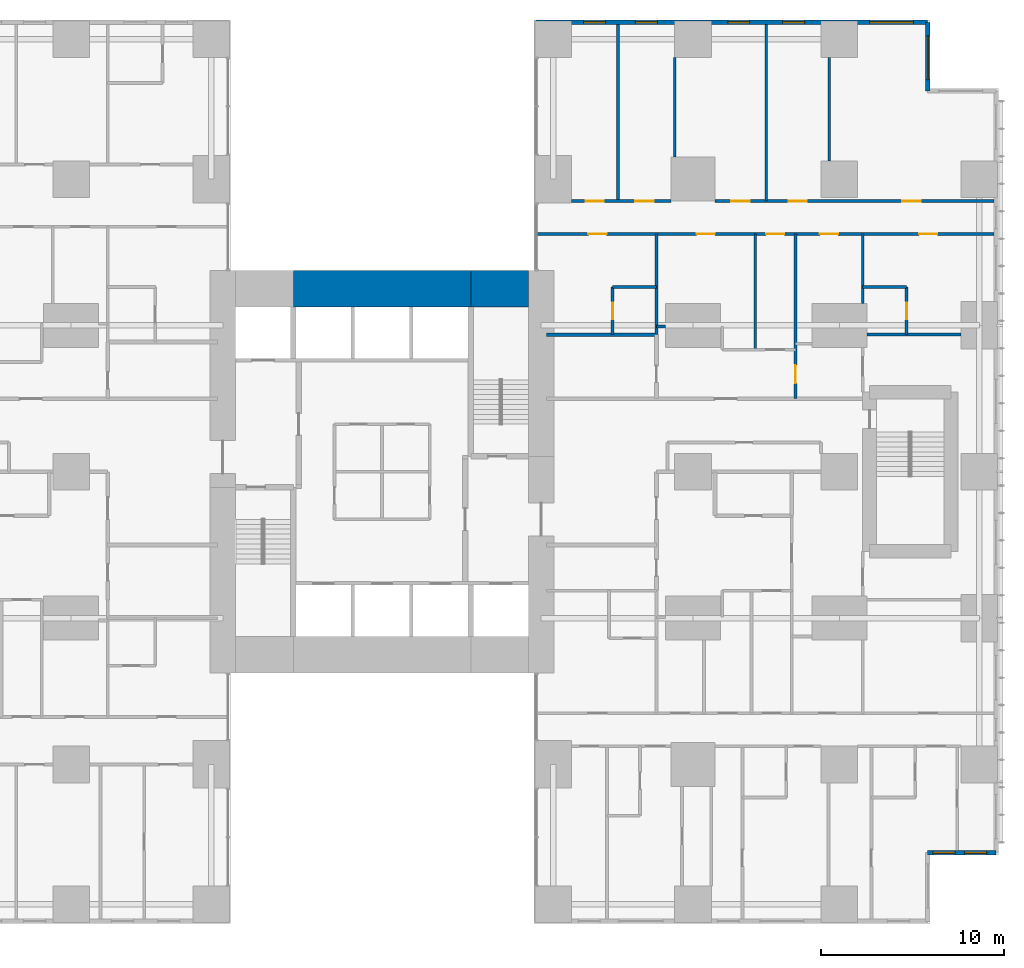
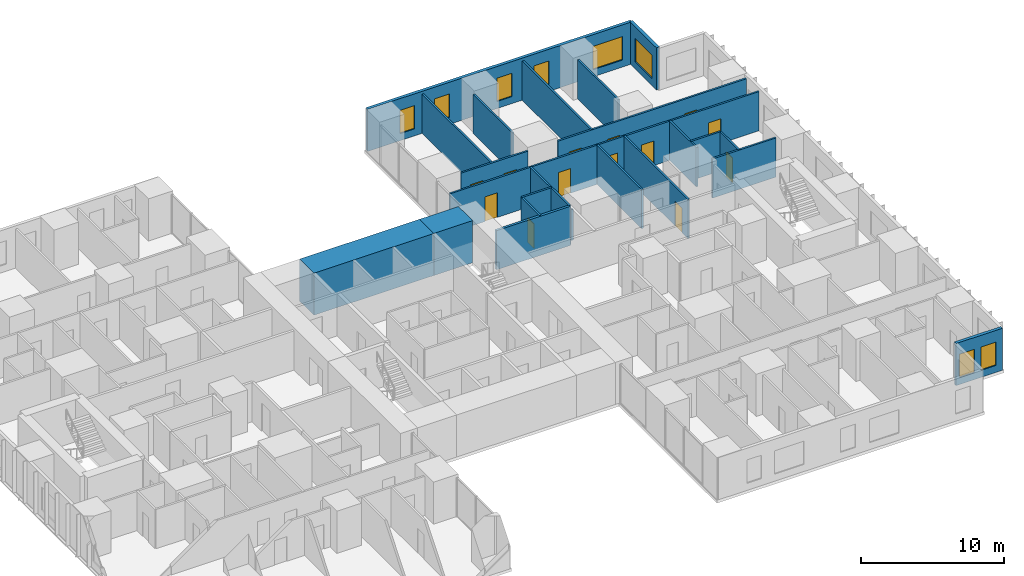
# One storey, part 18 of 20: 23 walls, 13 doors, 8 windows, 21 openings.
"""IFC4 building model written with IfcOpenShell, lengths in metres."""

from ifc_helpers import new_model, si_unit, direction, frame, frame_2d, origin, place, context, subcontext, project, spatial, rectangle, extrude, material, layer, layer_set, type_object, element, fill, save


model = new_model("IFC4")

# Units and contexts
model_context = context("Model", 3, precision=1e-05, world=origin(), true_north=direction((0.0, 1.0)))
body_context = subcontext(model_context, "Body", "Model", "MODEL_VIEW")
ifc_project = project(units=[si_unit("LENGTHUNIT", "METRE"), si_unit("AREAUNIT", "SQUARE_METRE"), si_unit("VOLUMEUNIT", "CUBIC_METRE"), si_unit("PLANEANGLEUNIT", "RADIAN"), si_unit("MASSUNIT", "GRAM", prefix="KILO")], contexts=[model_context])

# Site, building, storey
site_placement = place(None, origin())
site = spatial("IfcSite", under=ifc_project, at=site_placement, CompositionType="ELEMENT")
building_placement = place(site_placement, origin())
building = spatial("IfcBuilding", under=site, at=building_placement, Name="Cleftline Residences", CompositionType="ELEMENT")
storey_placement = place(building_placement, frame((0.0, 0.0, 51.199951171875)))
storey = spatial("IfcBuildingStorey", under=building, at=storey_placement, Name="L12", CompositionType="ELEMENT", Elevation=51.199951171875)

# Walls
ifc_material_1 = material(Name="Concrete B70", Category="concrete")
ifc_layer_1 = layer(ifc_material_1, 2.0)
ifc_layer_set_1 = layer_set([ifc_layer_1], Name="CORE WALL 2000")
wall_type_1 = type_object("IfcWallType", Name="CORE WALL 2000", PredefinedType="SHEAR", material=ifc_layer_set_1)
wall_1_placement = place(storey_placement, frame((28.14990234375, 34.0, 0.0), z_axis=(0.0, 0.0, 1.0), x_axis=(1.0, 0.0, 0.0)))
element("IfcWall", 1, at=wall_1_placement, inside=storey, type_object=wall_type_1, Name="Core wall N2", PredefinedType="SHEAR", context=body_context, shape_type="SweptSolid", body=[
    extrude(rectangle(XDim=9.7001953125, YDim=2.0, at=frame_2d((4.85009765625, 0.0))), origin(), (0.0, 0.0, 1.0), 3.60009765625),
])
wall_2_placement = place(storey_placement, frame((37.85009765625, 34.0, 0.0), z_axis=(0.0, 0.0, 1.0), x_axis=(1.0, 0.0, 0.0)))
element("IfcWall", 2, at=wall_2_placement, inside=storey, type_object=wall_type_1, Name="Core wall N3", PredefinedType="SHEAR", context=body_context, shape_type="SweptSolid", body=[
    extrude(rectangle(XDim=3.14990234375, YDim=2.0, at=frame_2d((1.574951171875, 0.0))), origin(), (0.0, 0.0, 1.0), 3.60009765625),
])

# Wall, openings, windows
ifc_material_2 = material(Name="Rendered reinforced concrete blockwork", Category="masonry")
ifc_layer_2 = layer(ifc_material_2, 0.25)
ifc_layer_set_2 = layer_set([ifc_layer_2], Name="EXTERNAL WALL 250")
wall_type_2 = type_object("IfcWallType", Name="EXTERNAL WALL 250", PredefinedType="SOLIDWALL", material=ifc_layer_set_2)
wall_3_placement = place(storey_placement, frame((62.824951171875, 3.175048828125, 0.0), z_axis=(0.0, 0.0, 1.0), x_axis=(1.0, 0.0, 0.0)))
wall_3 = element("IfcWall", 3, at=wall_3_placement, inside=storey, type_object=wall_type_2, Name="External wall", PredefinedType="SOLIDWALL", context=body_context, shape_type="SweptSolid", body=[
    extrude(rectangle(XDim=3.75, YDim=0.25, at=frame_2d((1.875, 0.0))), origin(), (0.0, 0.0, 1.0), 3.60009765625),
])
opening_1_placement = place(wall_3_placement, frame((0.28759765625, 0.0, 0.60009765625)))
opening_1 = element("IfcOpeningElement", 4, at=opening_1_placement, cuts=wall_3, Name="Opening W8", PredefinedType="OPENING", context=body_context, shape_type="SweptSolid", body=[
    extrude(rectangle(XDim=1.199951171875, YDim=2.0, at=frame_2d((0.60009765625, 1.0))), frame((0.0, 0.135009765625, 0.0), z_axis=(0.0, -1.0, 0.0), x_axis=(1.0, 0.0, 0.0)), (0.0, 0.0, 1.0), 0.27001953125),
])
opening_2_placement = place(wall_3_placement, frame((2.02490234375, 0.0, 0.60009765625)))
opening_2 = element("IfcOpeningElement", 5, at=opening_2_placement, cuts=wall_3, Name="Opening W8", PredefinedType="OPENING", context=body_context, shape_type="SweptSolid", body=[
    extrude(rectangle(XDim=1.199951171875, YDim=2.0, at=frame_2d((0.60009765625, 1.0))), frame((0.0, 0.135009765625, 0.0), z_axis=(0.0, -1.0, 0.0), x_axis=(1.0, 0.0, 0.0)), (0.0, 0.0, 1.0), 0.27001953125),
])
ifc_material_3 = material(Name="Aluminium frame, clear double glazing", Category="aluminium")
window_type_1 = type_object("IfcWindowType", Name="WINDOW 1200X2000", PartitioningType="DOUBLE_PANEL_VERTICAL", PredefinedType="WINDOW", material=ifc_material_3)
window_1_placement = place(opening_1_placement, origin())
window_1 = element("IfcWindow", 6, at=window_1_placement, inside=storey, type_object=window_type_1, Name="Window", OverallHeight=2.0, OverallWidth=1.199951171875, PartitioningType="SINGLE_PANEL", PredefinedType="WINDOW", context=body_context, shape_type="SweptSolid", body=[
    extrude(rectangle(XDim=1.199951171875, YDim=2.0, at=frame_2d((0.60009765625, 1.0))), frame((0.0, 0.030029296875, 0.0), z_axis=(0.0, -1.0, 0.0), x_axis=(1.0, 0.0, 0.0)), (0.0, 0.0, 1.0), 0.06005859375),
])
fill(opening_1, window_1)
window_2_placement = place(opening_2_placement, origin())
window_2 = element("IfcWindow", 7, at=window_2_placement, inside=storey, type_object=window_type_1, Name="Window", OverallHeight=2.0, OverallWidth=1.199951171875, PartitioningType="SINGLE_PANEL", PredefinedType="WINDOW", context=body_context, shape_type="SweptSolid", body=[
    extrude(rectangle(XDim=1.199951171875, YDim=2.0, at=frame_2d((0.60009765625, 1.0))), frame((0.0, 0.030029296875, 0.0), z_axis=(0.0, -1.0, 0.0), x_axis=(1.0, 0.0, 0.0)), (0.0, 0.0, 1.0), 0.06005859375),
])
fill(opening_2, window_2)

# Wall, opening, window
wall_4_placement = place(storey_placement, frame((62.824951171875, 44.824951171875, 0.0), z_axis=(0.0, 0.0, 1.0), x_axis=(0.0, 1.0, 0.0)))
wall_4 = element("IfcWall", 8, at=wall_4_placement, inside=storey, type_object=wall_type_2, Name="External wall", PredefinedType="SOLIDWALL", context=body_context, shape_type="SweptSolid", body=[
    extrude(rectangle(XDim=3.75, YDim=0.25, at=frame_2d((1.875, 0.0))), origin(), (0.0, 0.0, 1.0), 3.60009765625),
])
opening_3_placement = place(wall_4_placement, frame((0.612548828125, 0.0, 0.60009765625)))
opening_3 = element("IfcOpeningElement", 9, at=opening_3_placement, cuts=wall_4, Name="Opening W6", PredefinedType="OPENING", context=body_context, shape_type="SweptSolid", body=[
    extrude(rectangle(XDim=2.39990234375, YDim=2.0, at=frame_2d((1.199951171875, 1.0))), frame((0.0, 0.135009765625, 0.0), z_axis=(0.0, -1.0, 0.0), x_axis=(1.0, 0.0, 0.0)), (0.0, 0.0, 1.0), 0.27001953125),
])
ifc_material_4 = material(Name="Aluminium frame, clear double glazing", Category="aluminium")
window_type_2 = type_object("IfcWindowType", Name="WINDOW 2400X2000", PartitioningType="DOUBLE_PANEL_VERTICAL", PredefinedType="WINDOW", material=ifc_material_4)
window_3_placement = place(opening_3_placement, origin())
window_3 = element("IfcWindow", 10, at=window_3_placement, inside=storey, type_object=window_type_2, Name="Window", OverallHeight=2.0, OverallWidth=2.39990234375, PartitioningType="SINGLE_PANEL", PredefinedType="WINDOW", context=body_context, shape_type="SweptSolid", body=[
    extrude(rectangle(XDim=2.39990234375, YDim=2.0, at=frame_2d((1.199951171875, 1.0))), frame((0.0, 0.030029296875, 0.0), z_axis=(0.0, -1.0, 0.0), x_axis=(1.0, 0.0, 0.0)), (0.0, 0.0, 1.0), 0.06005859375),
])
fill(opening_3, window_3)

# Wall, openings, windows
wall_5_placement = place(storey_placement, frame((62.824951171875, 48.574951171875, 0.0), z_axis=(0.0, 0.0, 1.0), x_axis=(-1.0, 0.0, 0.0)))
wall_5 = element("IfcWall", 11, at=wall_5_placement, inside=storey, type_object=wall_type_2, Name="External wall", PredefinedType="SOLIDWALL", context=body_context, shape_type="SweptSolid", body=[
    extrude(rectangle(XDim=21.39990234375, YDim=0.25, at=frame_2d((10.699951171875, 0.0))), origin(), (0.0, 0.0, 1.0), 3.60009765625),
])
opening_4_placement = place(wall_5_placement, frame((0.77490234375, 0.0, 0.60009765625)))
opening_4 = element("IfcOpeningElement", 12, at=opening_4_placement, cuts=wall_5, Name="Opening W6", PredefinedType="OPENING", context=body_context, shape_type="SweptSolid", body=[
    extrude(rectangle(XDim=2.39990234375, YDim=2.0, at=frame_2d((1.199951171875, 1.0))), frame((0.0, 0.135009765625, 0.0), z_axis=(0.0, -1.0, 0.0), x_axis=(1.0, 0.0, 0.0)), (0.0, 0.0, 1.0), 0.27001953125),
])
opening_5_placement = place(wall_5_placement, frame((6.72509765625, 0.0, 0.60009765625)))
opening_5 = element("IfcOpeningElement", 13, at=opening_5_placement, cuts=wall_5, Name="Opening W8", PredefinedType="OPENING", context=body_context, shape_type="SweptSolid", body=[
    extrude(rectangle(XDim=1.199951171875, YDim=2.0, at=frame_2d((0.60009765625, 1.0))), frame((0.0, 0.135009765625, 0.0), z_axis=(0.0, -1.0, 0.0), x_axis=(1.0, 0.0, 0.0)), (0.0, 0.0, 1.0), 0.27001953125),
])
opening_6_placement = place(wall_5_placement, frame((9.72509765625, 0.0, 0.60009765625)))
opening_6 = element("IfcOpeningElement", 14, at=opening_6_placement, cuts=wall_5, Name="Opening W8", PredefinedType="OPENING", context=body_context, shape_type="SweptSolid", body=[
    extrude(rectangle(XDim=1.199951171875, YDim=2.0, at=frame_2d((0.60009765625, 1.0))), frame((0.0, 0.135009765625, 0.0), z_axis=(0.0, -1.0, 0.0), x_axis=(1.0, 0.0, 0.0)), (0.0, 0.0, 1.0), 0.27001953125),
])
opening_7_placement = place(wall_5_placement, frame((14.77490234375, 0.0, 0.60009765625)))
opening_7 = element("IfcOpeningElement", 15, at=opening_7_placement, cuts=wall_5, Name="Opening W8", PredefinedType="OPENING", context=body_context, shape_type="SweptSolid", body=[
    extrude(rectangle(XDim=1.199951171875, YDim=2.0, at=frame_2d((0.60009765625, 1.0))), frame((0.0, 0.135009765625, 0.0), z_axis=(0.0, -1.0, 0.0), x_axis=(1.0, 0.0, 0.0)), (0.0, 0.0, 1.0), 0.27001953125),
])
opening_8_placement = place(wall_5_placement, frame((17.60009765625, 0.0, 0.60009765625)))
opening_8 = element("IfcOpeningElement", 16, at=opening_8_placement, cuts=wall_5, Name="Opening W8", PredefinedType="OPENING", context=body_context, shape_type="SweptSolid", body=[
    extrude(rectangle(XDim=1.199951171875, YDim=2.0, at=frame_2d((0.60009765625, 1.0))), frame((0.0, 0.135009765625, 0.0), z_axis=(0.0, -1.0, 0.0), x_axis=(1.0, 0.0, 0.0)), (0.0, 0.0, 1.0), 0.27001953125),
])
window_4_placement = place(opening_5_placement, origin())
window_4 = element("IfcWindow", 17, at=window_4_placement, inside=storey, type_object=window_type_1, Name="Window", OverallHeight=2.0, OverallWidth=1.199951171875, PartitioningType="SINGLE_PANEL", PredefinedType="WINDOW", context=body_context, shape_type="SweptSolid", body=[
    extrude(rectangle(XDim=1.199951171875, YDim=2.0, at=frame_2d((0.60009765625, 1.0))), frame((0.0, 0.030029296875, 0.0), z_axis=(0.0, -1.0, 0.0), x_axis=(1.0, 0.0, 0.0)), (0.0, 0.0, 1.0), 0.06005859375),
])
fill(opening_5, window_4)
window_5_placement = place(opening_6_placement, origin())
window_5 = element("IfcWindow", 18, at=window_5_placement, inside=storey, type_object=window_type_1, Name="Window", OverallHeight=2.0, OverallWidth=1.199951171875, PartitioningType="SINGLE_PANEL", PredefinedType="WINDOW", context=body_context, shape_type="SweptSolid", body=[
    extrude(rectangle(XDim=1.199951171875, YDim=2.0, at=frame_2d((0.60009765625, 1.0))), frame((0.0, 0.030029296875, 0.0), z_axis=(0.0, -1.0, 0.0), x_axis=(1.0, 0.0, 0.0)), (0.0, 0.0, 1.0), 0.06005859375),
])
fill(opening_6, window_5)
window_6_placement = place(opening_7_placement, origin())
window_6 = element("IfcWindow", 19, at=window_6_placement, inside=storey, type_object=window_type_1, Name="Window", OverallHeight=2.0, OverallWidth=1.199951171875, PartitioningType="SINGLE_PANEL", PredefinedType="WINDOW", context=body_context, shape_type="SweptSolid", body=[
    extrude(rectangle(XDim=1.199951171875, YDim=2.0, at=frame_2d((0.60009765625, 1.0))), frame((0.0, 0.030029296875, 0.0), z_axis=(0.0, -1.0, 0.0), x_axis=(1.0, 0.0, 0.0)), (0.0, 0.0, 1.0), 0.06005859375),
])
fill(opening_7, window_6)
window_7_placement = place(opening_8_placement, origin())
window_7 = element("IfcWindow", 20, at=window_7_placement, inside=storey, type_object=window_type_1, Name="Window", OverallHeight=2.0, OverallWidth=1.199951171875, PartitioningType="SINGLE_PANEL", PredefinedType="WINDOW", context=body_context, shape_type="SweptSolid", body=[
    extrude(rectangle(XDim=1.199951171875, YDim=2.0, at=frame_2d((0.60009765625, 1.0))), frame((0.0, 0.030029296875, 0.0), z_axis=(0.0, -1.0, 0.0), x_axis=(1.0, 0.0, 0.0)), (0.0, 0.0, 1.0), 0.06005859375),
])
fill(opening_8, window_7)
window_8_placement = place(opening_4_placement, origin())
window_8 = element("IfcWindow", 21, at=window_8_placement, inside=storey, type_object=window_type_2, Name="Window", OverallHeight=2.0, OverallWidth=2.39990234375, PartitioningType="SINGLE_PANEL", PredefinedType="WINDOW", context=body_context, shape_type="SweptSolid", body=[
    extrude(rectangle(XDim=2.39990234375, YDim=2.0, at=frame_2d((1.199951171875, 1.0))), frame((0.0, 0.030029296875, 0.0), z_axis=(0.0, -1.0, 0.0), x_axis=(1.0, 0.0, 0.0)), (0.0, 0.0, 1.0), 0.06005859375),
])
fill(opening_4, window_8)

# Walls
ifc_material_5 = material(Name="Concrete blockwork, fire rated", Category="masonry")
ifc_layer_3 = layer(ifc_material_5, 0.199951171875)
ifc_layer_set_3 = layer_set([ifc_layer_3], Name="FIRE WALL 200")
wall_type_3 = type_object("IfcWallType", Name="FIRE WALL 200", PredefinedType="PARTITIONING", material=ifc_layer_set_3)
wall_6_placement = place(storey_placement, frame((42.0, 31.5, 0.0), z_axis=(0.0, 0.0, 1.0), x_axis=(1.0, 0.0, 0.0)))
element("IfcWall", 22, at=wall_6_placement, inside=storey, type_object=wall_type_3, Name="Fire separating wall", PredefinedType="PARTITIONING", context=body_context, shape_type="SweptSolid", body=[
    extrude(rectangle(XDim=6.0, YDim=0.199951171875, at=frame_2d((3.0, 0.0))), origin(), (0.0, 0.0, 1.0), 3.35009765625),
])
ifc_material_6 = material(Name="Gypsum board on steel studs", Category="steel")
ifc_layer_4 = layer(ifc_material_6, 0.14990234375)
ifc_layer_set_4 = layer_set([ifc_layer_4], Name="PARTITION 150")
wall_type_4 = type_object("IfcWallType", Name="PARTITION 150", PredefinedType="PARTITIONING", material=ifc_layer_set_4)
wall_7_placement = place(storey_placement, frame((59.5, 31.5, 0.0), z_axis=(0.0, 0.0, 1.0), x_axis=(1.0, 0.0, 0.0)))
element("IfcWall", 23, at=wall_7_placement, inside=storey, type_object=wall_type_4, Name="Partition", PredefinedType="PARTITIONING", context=body_context, shape_type="SweptSolid", body=[
    extrude(rectangle(XDim=5.14990234375, YDim=0.14990234375, at=frame_2d((2.574951171875, 0.0))), origin(), (0.0, 0.0, 1.0), 3.35009765625),
])
wall_8_placement = place(storey_placement, frame((48.0, 31.949951171875, 0.0), z_axis=(0.0, 0.0, 1.0), x_axis=(1.0, 0.0, 0.0)))
element("IfcWall", 24, at=wall_8_placement, inside=storey, type_object=wall_type_4, Name="Partition", PredefinedType="PARTITIONING", context=body_context, shape_type="SweptSolid", body=[
    extrude(rectangle(XDim=0.5, YDim=0.14990234375, at=frame_2d((0.25, 0.0))), origin(), (0.0, 0.0, 1.0), 2.634033203125),
])
wall_9_placement = place(storey_placement, frame((45.60009765625, 34.10009765625, 0.0), z_axis=(0.0, 0.0, 1.0), x_axis=(1.0, 0.0, 0.0)))
element("IfcWall", 25, at=wall_9_placement, inside=storey, type_object=wall_type_4, Name="Partition", PredefinedType="PARTITIONING", context=body_context, shape_type="SweptSolid", body=[
    extrude(rectangle(XDim=2.39990234375, YDim=0.14990234375, at=frame_2d((1.199951171875, 0.0))), origin(), (0.0, 0.0, 1.0), 3.35009765625),
])
wall_10_placement = place(storey_placement, frame((59.27490234375, 34.10009765625, 0.0), z_axis=(0.0, 0.0, 1.0), x_axis=(1.0, 0.0, 0.0)))
element("IfcWall", 26, at=wall_10_placement, inside=storey, type_object=wall_type_4, Name="Partition", PredefinedType="PARTITIONING", context=body_context, shape_type="SweptSolid", body=[
    extrude(rectangle(XDim=2.400146484375, YDim=0.14990234375, at=frame_2d((1.2001953125, 0.0))), origin(), (0.0, 0.0, 1.0), 3.35009765625),
])

# Wall, openings, doors
wall_11_placement = place(storey_placement, frame((41.43896484375, 37.0, 0.0), z_axis=(0.0, 0.0, 1.0), x_axis=(1.0, 0.0, 0.0)))
wall_11 = element("IfcWall", 27, at=wall_11_placement, inside=storey, type_object=wall_type_4, Name="Partition", PredefinedType="PARTITIONING", context=body_context, shape_type="SweptSolid", body=[
    extrude(rectangle(XDim=25.010986328125, YDim=0.14990234375, at=frame_2d((12.50537109375, 0.0))), origin(), (0.0, 0.0, 1.0), 3.35009765625),
])
opening_9_placement = place(wall_11_placement, frame((12.56103515625, 0.0, 0.0)))
opening_9 = element("IfcOpeningElement", 28, at=opening_9_placement, cuts=wall_11, Name="Opening D2", PredefinedType="OPENING", context=body_context, shape_type="SweptSolid", body=[
    extrude(rectangle(XDim=1.0, YDim=2.10009765625, at=frame_2d((0.5, 1.050048828125))), frame((0.0, 0.0849609375, 0.0), z_axis=(0.0, -1.0, 0.0), x_axis=(1.0, 0.0, 0.0)), (0.0, 0.0, 1.0), 0.169921875),
])
opening_10_placement = place(wall_11_placement, frame((20.923583984375, 0.0, 0.0)))
opening_10 = element("IfcOpeningElement", 29, at=opening_10_placement, cuts=wall_11, Name="Opening D2", PredefinedType="OPENING", context=body_context, shape_type="SweptSolid", body=[
    extrude(rectangle(XDim=1.0, YDim=2.10009765625, at=frame_2d((0.5, 1.050048828125))), frame((0.0, 0.0849609375, 0.0), z_axis=(0.0, -1.0, 0.0), x_axis=(1.0, 0.0, 0.0)), (0.0, 0.0, 1.0), 0.169921875),
])
opening_11_placement = place(wall_11_placement, frame((15.49853515625, 0.0, 0.0)))
opening_11 = element("IfcOpeningElement", 30, at=opening_11_placement, cuts=wall_11, Name="Opening D2", PredefinedType="OPENING", context=body_context, shape_type="SweptSolid", body=[
    extrude(rectangle(XDim=1.0, YDim=2.10009765625, at=frame_2d((0.5, 1.050048828125))), frame((0.0, 0.0849609375, 0.0), z_axis=(0.0, -1.0, 0.0), x_axis=(1.0, 0.0, 0.0)), (0.0, 0.0, 1.0), 0.169921875),
])
opening_12_placement = place(wall_11_placement, frame((8.760986328125, 0.0, 0.0)))
opening_12 = element("IfcOpeningElement", 31, at=opening_12_placement, cuts=wall_11, Name="Opening D2", PredefinedType="OPENING", context=body_context, shape_type="SweptSolid", body=[
    extrude(rectangle(XDim=1.0, YDim=2.10009765625, at=frame_2d((0.5, 1.050048828125))), frame((0.0, 0.0849609375, 0.0), z_axis=(0.0, -1.0, 0.0), x_axis=(1.0, 0.0, 0.0)), (0.0, 0.0, 1.0), 0.169921875),
])
opening_13_placement = place(wall_11_placement, frame((2.8359375, 0.0, 0.0)))
opening_13 = element("IfcOpeningElement", 32, at=opening_13_placement, cuts=wall_11, Name="Opening D2", PredefinedType="OPENING", context=body_context, shape_type="SweptSolid", body=[
    extrude(rectangle(XDim=1.0, YDim=2.10009765625, at=frame_2d((0.5, 1.050048828125))), frame((0.0, 0.0849609375, 0.0), z_axis=(0.0, -1.0, 0.0), x_axis=(1.0, 0.0, 0.0)), (0.0, 0.0, 1.0), 0.169921875),
])
ifc_material_7 = material(Name="Timber veneer on solid core", Category="wood")
door_type_1 = type_object("IfcDoorType", Name="DOOR 1000X2100", OperationType="SINGLE_SWING_LEFT", PredefinedType="DOOR", material=ifc_material_7)
door_1_placement = place(opening_9_placement, origin())
door_1 = element("IfcDoor", 33, at=door_1_placement, inside=storey, type_object=door_type_1, Name="Door to residence hall", OperationType="SINGLE_SWING_LEFT", OverallHeight=2.10009765625, OverallWidth=1.0, PredefinedType="DOOR", context=body_context, shape_type="SweptSolid", body=[
    extrude(rectangle(XDim=1.0, YDim=2.10009765625, at=frame_2d((0.5, 1.050048828125))), frame((0.0, 0.02490234375, 0.0), z_axis=(0.0, -1.0, 0.0), x_axis=(1.0, 0.0, 0.0)), (0.0, 0.0, 1.0), 0.050048828125),
])
fill(opening_9, door_1)
door_2_placement = place(opening_10_placement, origin())
door_2 = element("IfcDoor", 34, at=door_2_placement, inside=storey, type_object=door_type_1, Name="Door to master bedroom", OperationType="SINGLE_SWING_LEFT", OverallHeight=2.10009765625, OverallWidth=1.0, PredefinedType="DOOR", context=body_context, shape_type="SweptSolid", body=[
    extrude(rectangle(XDim=1.0, YDim=2.10009765625, at=frame_2d((0.5, 1.050048828125))), frame((0.0, 0.02490234375, 0.0), z_axis=(0.0, -1.0, 0.0), x_axis=(1.0, 0.0, 0.0)), (0.0, 0.0, 1.0), 0.050048828125),
])
fill(opening_10, door_2)
door_3_placement = place(opening_11_placement, origin())
door_3 = element("IfcDoor", 35, at=door_3_placement, inside=storey, type_object=door_type_1, Name="Door to wet kitchen", OperationType="SINGLE_SWING_LEFT", OverallHeight=2.10009765625, OverallWidth=1.0, PredefinedType="DOOR", context=body_context, shape_type="SweptSolid", body=[
    extrude(rectangle(XDim=1.0, YDim=2.10009765625, at=frame_2d((0.5, 1.050048828125))), frame((0.0, 0.02490234375, 0.0), z_axis=(0.0, -1.0, 0.0), x_axis=(1.0, 0.0, 0.0)), (0.0, 0.0, 1.0), 0.050048828125),
])
fill(opening_11, door_3)
door_4_placement = place(opening_12_placement, origin())
door_4 = element("IfcDoor", 36, at=door_4_placement, inside=storey, type_object=door_type_1, Name="Door to family room", OperationType="SINGLE_SWING_RIGHT", OverallHeight=2.10009765625, OverallWidth=1.0, PredefinedType="DOOR", context=body_context, shape_type="SweptSolid", body=[
    extrude(rectangle(XDim=1.0, YDim=2.10009765625, at=frame_2d((0.5, 1.050048828125))), frame((0.0, 0.02490234375, 0.0), z_axis=(0.0, -1.0, 0.0), x_axis=(1.0, 0.0, 0.0)), (0.0, 0.0, 1.0), 0.050048828125),
])
fill(opening_12, door_4)
door_5_placement = place(opening_13_placement, origin())
door_5 = element("IfcDoor", 37, at=door_5_placement, inside=storey, type_object=door_type_1, Name="Door to bedroom 2", OperationType="SINGLE_SWING_RIGHT", OverallHeight=2.10009765625, OverallWidth=1.0, PredefinedType="DOOR", context=body_context, shape_type="SweptSolid", body=[
    extrude(rectangle(XDim=1.0, YDim=2.10009765625, at=frame_2d((0.5, 1.050048828125))), frame((0.0, 0.02490234375, 0.0), z_axis=(0.0, -1.0, 0.0), x_axis=(1.0, 0.0, 0.0)), (0.0, 0.0, 1.0), 0.050048828125),
])
fill(opening_13, door_5)

wall_12_placement = place(storey_placement, frame((43.35009765625, 38.800048828125, 0.0), z_axis=(0.0, 0.0, 1.0), x_axis=(1.0, 0.0, 0.0)))
wall_12 = element("IfcWall", 38, at=wall_12_placement, inside=storey, type_object=wall_type_4, Name="Partition", PredefinedType="PARTITIONING", context=body_context, shape_type="SweptSolid", body=[
    extrude(rectangle(XDim=5.449951171875, YDim=0.14990234375, at=frame_2d((2.72509765625, 0.0))), origin(), (0.0, 0.0, 1.0), 3.35009765625),
])
opening_14_placement = place(wall_12_placement, frame((3.5, 0.0, 0.0)))
opening_14 = element("IfcOpeningElement", 39, at=opening_14_placement, cuts=wall_12, Name="Opening D2", PredefinedType="OPENING", context=body_context, shape_type="SweptSolid", body=[
    extrude(rectangle(XDim=1.0, YDim=2.10009765625, at=frame_2d((0.5, 1.050048828125))), frame((0.0, 0.0849609375, 0.0), z_axis=(0.0, -1.0, 0.0), x_axis=(1.0, 0.0, 0.0)), (0.0, 0.0, 1.0), 0.169921875),
])
opening_15_placement = place(wall_12_placement, frame((0.77490234375, 0.0, 0.0)))
opening_15 = element("IfcOpeningElement", 40, at=opening_15_placement, cuts=wall_12, Name="Opening D2", PredefinedType="OPENING", context=body_context, shape_type="SweptSolid", body=[
    extrude(rectangle(XDim=1.0, YDim=2.10009765625, at=frame_2d((0.5, 1.050048828125))), frame((0.0, 0.0849609375, 0.0), z_axis=(0.0, -1.0, 0.0), x_axis=(1.0, 0.0, 0.0)), (0.0, 0.0, 1.0), 0.169921875),
])
door_6_placement = place(opening_14_placement, origin())
door_6 = element("IfcDoor", 41, at=door_6_placement, inside=storey, type_object=door_type_1, Name="Door to family dining room", OperationType="SINGLE_SWING_LEFT", OverallHeight=2.10009765625, OverallWidth=1.0, PredefinedType="DOOR", context=body_context, shape_type="SweptSolid", body=[
    extrude(rectangle(XDim=1.0, YDim=2.10009765625, at=frame_2d((0.5, 1.050048828125))), frame((0.0, 0.02490234375, 0.0), z_axis=(0.0, -1.0, 0.0), x_axis=(1.0, 0.0, 0.0)), (0.0, 0.0, 1.0), 0.050048828125),
])
fill(opening_14, door_6)
door_7_placement = place(opening_15_placement, origin())
door_7 = element("IfcDoor", 42, at=door_7_placement, inside=storey, type_object=door_type_1, Name="Door to show kitchen", OperationType="SINGLE_SWING_RIGHT", OverallHeight=2.10009765625, OverallWidth=1.0, PredefinedType="DOOR", context=body_context, shape_type="SweptSolid", body=[
    extrude(rectangle(XDim=1.0, YDim=2.10009765625, at=frame_2d((0.5, 1.050048828125))), frame((0.0, 0.02490234375, 0.0), z_axis=(0.0, -1.0, 0.0), x_axis=(1.0, 0.0, 0.0)), (0.0, 0.0, 1.0), 0.050048828125),
])
fill(opening_15, door_7)

wall_13_placement = place(storey_placement, frame((51.199951171875, 38.800048828125, 0.0), z_axis=(0.0, 0.0, 1.0), x_axis=(1.0, 0.0, 0.0)))
wall_13 = element("IfcWall", 43, at=wall_13_placement, inside=storey, type_object=wall_type_4, Name="Partition", PredefinedType="PARTITIONING", context=body_context, shape_type="SweptSolid", body=[
    extrude(rectangle(XDim=15.25, YDim=0.14990234375, at=frame_2d((7.625, 0.0))), origin(), (0.0, 0.0, 1.0), 3.35009765625),
])
opening_16_placement = place(wall_13_placement, frame((10.25, 0.0, 0.0)))
opening_16 = element("IfcOpeningElement", 44, at=opening_16_placement, cuts=wall_13, Name="Opening D2", PredefinedType="OPENING", context=body_context, shape_type="SweptSolid", body=[
    extrude(rectangle(XDim=1.0, YDim=2.10009765625, at=frame_2d((0.5, 1.050048828125))), frame((0.0, 0.0849609375, 0.0), z_axis=(0.0, -1.0, 0.0), x_axis=(1.0, 0.0, 0.0)), (0.0, 0.0, 1.0), 0.169921875),
])
opening_17_placement = place(wall_13_placement, frame((4.02490234375, 0.0, 0.0)))
opening_17 = element("IfcOpeningElement", 45, at=opening_17_placement, cuts=wall_13, Name="Opening D2", PredefinedType="OPENING", context=body_context, shape_type="SweptSolid", body=[
    extrude(rectangle(XDim=1.0, YDim=2.10009765625, at=frame_2d((0.5, 1.050048828125))), frame((0.0, 0.0849609375, 0.0), z_axis=(0.0, -1.0, 0.0), x_axis=(1.0, 0.0, 0.0)), (0.0, 0.0, 1.0), 0.169921875),
])
opening_18_placement = place(wall_13_placement, frame((0.89990234375, 0.0, 0.0)))
opening_18 = element("IfcOpeningElement", 46, at=opening_18_placement, cuts=wall_13, Name="Opening D2", PredefinedType="OPENING", context=body_context, shape_type="SweptSolid", body=[
    extrude(rectangle(XDim=1.0, YDim=2.10009765625, at=frame_2d((0.5, 1.050048828125))), frame((0.0, 0.0849609375, 0.0), z_axis=(0.0, -1.0, 0.0), x_axis=(1.0, 0.0, 0.0)), (0.0, 0.0, 1.0), 0.169921875),
])
door_8_placement = place(opening_16_placement, origin())
door_8 = element("IfcDoor", 47, at=door_8_placement, inside=storey, type_object=door_type_1, Name="Door to sea-view lounge", OperationType="SINGLE_SWING_LEFT", OverallHeight=2.10009765625, OverallWidth=1.0, PredefinedType="DOOR", context=body_context, shape_type="SweptSolid", body=[
    extrude(rectangle(XDim=1.0, YDim=2.10009765625, at=frame_2d((0.5, 1.050048828125))), frame((0.0, 0.02490234375, 0.0), z_axis=(0.0, -1.0, 0.0), x_axis=(1.0, 0.0, 0.0)), (0.0, 0.0, 1.0), 0.050048828125),
])
fill(opening_16, door_8)
door_9_placement = place(opening_17_placement, origin())
door_9 = element("IfcDoor", 48, at=door_9_placement, inside=storey, type_object=door_type_1, Name="Door to library", OperationType="SINGLE_SWING_RIGHT", OverallHeight=2.10009765625, OverallWidth=1.0, PredefinedType="DOOR", context=body_context, shape_type="SweptSolid", body=[
    extrude(rectangle(XDim=1.0, YDim=2.10009765625, at=frame_2d((0.5, 1.050048828125))), frame((0.0, 0.02490234375, 0.0), z_axis=(0.0, -1.0, 0.0), x_axis=(1.0, 0.0, 0.0)), (0.0, 0.0, 1.0), 0.050048828125),
])
fill(opening_17, door_9)
door_10_placement = place(opening_18_placement, origin())
door_10 = element("IfcDoor", 49, at=door_10_placement, inside=storey, type_object=door_type_1, Name="Door to dining room", OperationType="SINGLE_SWING_RIGHT", OverallHeight=2.10009765625, OverallWidth=1.0, PredefinedType="DOOR", context=body_context, shape_type="SweptSolid", body=[
    extrude(rectangle(XDim=1.0, YDim=2.10009765625, at=frame_2d((0.5, 1.050048828125))), frame((0.0, 0.02490234375, 0.0), z_axis=(0.0, -1.0, 0.0), x_axis=(1.0, 0.0, 0.0)), (0.0, 0.0, 1.0), 0.050048828125),
])
fill(opening_18, door_10)

# Wall, opening, door
wall_14_placement = place(storey_placement, frame((45.60009765625, 31.5, 0.0), z_axis=(0.0, 0.0, 1.0), x_axis=(0.0, 1.0, 0.0)))
wall_14 = element("IfcWall", 50, at=wall_14_placement, inside=storey, type_object=wall_type_4, Name="Partition", PredefinedType="PARTITIONING", context=body_context, shape_type="SweptSolid", body=[
    extrude(rectangle(XDim=2.60009765625, YDim=0.14990234375, at=frame_2d((1.300048828125, 0.0))), origin(), (0.0, 0.0, 1.0), 3.35009765625),
])
opening_19_placement = place(wall_14_placement, frame((0.85009765625, 0.0, 0.0)))
opening_19 = element("IfcOpeningElement", 51, at=opening_19_placement, cuts=wall_14, Name="Opening D1", PredefinedType="OPENING", context=body_context, shape_type="SweptSolid", body=[
    extrude(rectangle(XDim=0.89990234375, YDim=2.10009765625, at=frame_2d((0.449951171875, 1.050048828125))), frame((0.0, 0.0849609375, 0.0), z_axis=(0.0, -1.0, 0.0), x_axis=(1.0, 0.0, 0.0)), (0.0, 0.0, 1.0), 0.169921875),
])
ifc_material_8 = material(Name="Timber veneer on solid core", Category="wood")
door_type_2 = type_object("IfcDoorType", Name="DOOR 900X2100", OperationType="SINGLE_SWING_LEFT", PredefinedType="DOOR", material=ifc_material_8)
door_11_placement = place(opening_19_placement, origin())
door_11 = element("IfcDoor", 52, at=door_11_placement, inside=storey, type_object=door_type_2, Name="Door to en-suite bathroom 2", OperationType="SINGLE_SWING_LEFT", OverallHeight=2.10009765625, OverallWidth=0.89990234375, PredefinedType="DOOR", context=body_context, shape_type="SweptSolid", body=[
    extrude(rectangle(XDim=0.89990234375, YDim=2.10009765625, at=frame_2d((0.449951171875, 1.050048828125))), frame((0.0, 0.02490234375, 0.0), z_axis=(0.0, -1.0, 0.0), x_axis=(1.0, 0.0, 0.0)), (0.0, 0.0, 1.0), 0.050048828125),
])
fill(opening_19, door_11)

# Walls
wall_15_placement = place(storey_placement, frame((45.89990234375, 38.800048828125, 0.0), z_axis=(0.0, 0.0, 1.0), x_axis=(0.0, 1.0, 0.0)))
element("IfcWall", 53, at=wall_15_placement, inside=storey, type_object=wall_type_4, Name="Partition", PredefinedType="PARTITIONING", context=body_context, shape_type="SweptSolid", body=[
    extrude(rectangle(XDim=9.64990234375, YDim=0.14990234375, at=frame_2d((4.824951171875, 0.0))), origin(), (0.0, 0.0, 1.0), 3.35009765625),
])
wall_16_placement = place(storey_placement, frame((48.0, 31.5, 0.0), z_axis=(0.0, 0.0, 1.0), x_axis=(0.0, 1.0, 0.0)))
element("IfcWall", 54, at=wall_16_placement, inside=storey, type_object=wall_type_4, Name="Partition", PredefinedType="PARTITIONING", context=body_context, shape_type="SweptSolid", body=[
    extrude(rectangle(XDim=5.5, YDim=0.14990234375, at=frame_2d((2.75, 0.0))), origin(), (0.0, 0.0, 1.0), 3.35009765625),
])
wall_17_placement = place(storey_placement, frame((49.0, 41.199951171875, 0.0), z_axis=(0.0, 0.0, 1.0), x_axis=(0.0, 1.0, 0.0)))
element("IfcWall", 55, at=wall_17_placement, inside=storey, type_object=wall_type_4, Name="Partition", PredefinedType="PARTITIONING", context=body_context, shape_type="SweptSolid", body=[
    extrude(rectangle(XDim=5.449951171875, YDim=0.14990234375, at=frame_2d((2.72509765625, 0.0))), origin(), (0.0, 0.0, 1.0), 3.35009765625),
])
wall_18_placement = place(storey_placement, frame((53.39990234375, 30.675048828125, 0.0), z_axis=(0.0, 0.0, 1.0), x_axis=(0.0, 1.0, 0.0)))
element("IfcWall", 56, at=wall_18_placement, inside=storey, type_object=wall_type_4, Name="Partition", PredefinedType="PARTITIONING", context=body_context, shape_type="SweptSolid", body=[
    extrude(rectangle(XDim=6.324951171875, YDim=0.14990234375, at=frame_2d((3.16259765625, 0.0))), origin(), (0.0, 0.0, 1.0), 3.35009765625),
])
wall_19_placement = place(storey_placement, frame((54.0, 38.800048828125, 0.0), z_axis=(0.0, 0.0, 1.0), x_axis=(0.0, 1.0, 0.0)))
element("IfcWall", 57, at=wall_19_placement, inside=storey, type_object=wall_type_4, Name="Partition", PredefinedType="PARTITIONING", context=body_context, shape_type="SweptSolid", body=[
    extrude(rectangle(XDim=9.64990234375, YDim=0.14990234375, at=frame_2d((4.824951171875, 0.0))), origin(), (0.0, 0.0, 1.0), 3.35009765625),
])

# Wall, opening, door
wall_20_placement = place(storey_placement, frame((55.60009765625, 28.0, 0.0), z_axis=(0.0, 0.0, 1.0), x_axis=(0.0, 1.0, 0.0)))
wall_20 = element("IfcWall", 58, at=wall_20_placement, inside=storey, type_object=wall_type_4, Name="Partition", PredefinedType="PARTITIONING", context=body_context, shape_type="SweptSolid", body=[
    extrude(rectangle(XDim=9.0, YDim=0.14990234375, at=frame_2d((4.5, 0.0))), origin(), (0.0, 0.0, 1.0), 3.35009765625),
])
opening_20_placement = place(wall_20_placement, frame((0.83740234375, 0.0, 0.0)))
opening_20 = element("IfcOpeningElement", 59, at=opening_20_placement, cuts=wall_20, Name="Opening D2F30", PredefinedType="OPENING", context=body_context, shape_type="SweptSolid", body=[
    extrude(rectangle(XDim=1.0, YDim=2.10009765625, at=frame_2d((0.5, 1.050048828125))), frame((0.0, 0.0849609375, 0.0), z_axis=(0.0, -1.0, 0.0), x_axis=(1.0, 0.0, 0.0)), (0.0, 0.0, 1.0), 0.169921875),
])
ifc_material_9 = material(Name="Timber veneer on solid core", Category="wood")
door_type_3 = type_object("IfcDoorType", Name="DOOR 1000X2100 EI 30", OperationType="SINGLE_SWING_LEFT", PredefinedType="DOOR", material=ifc_material_9)
door_12_placement = place(opening_20_placement, origin())
door_12 = element("IfcDoor", 60, at=door_12_placement, inside=storey, type_object=door_type_3, Name="Door to residence lobby", OperationType="SINGLE_SWING_RIGHT", OverallHeight=2.10009765625, OverallWidth=1.0, PredefinedType="DOOR", context=body_context, shape_type="SweptSolid", body=[
    extrude(rectangle(XDim=1.0, YDim=2.10009765625, at=frame_2d((0.5, 1.050048828125))), frame((0.0, 0.02490234375, 0.0), z_axis=(0.0, -1.0, 0.0), x_axis=(1.0, 0.0, 0.0)), (0.0, 0.0, 1.0), 0.050048828125),
])
fill(opening_20, door_12)

# Walls
wall_21_placement = place(storey_placement, frame((57.449951171875, 41.0, 0.0), z_axis=(0.0, 0.0, 1.0), x_axis=(0.0, 1.0, 0.0)))
element("IfcWall", 61, at=wall_21_placement, inside=storey, type_object=wall_type_4, Name="Partition", PredefinedType="PARTITIONING", context=body_context, shape_type="SweptSolid", body=[
    extrude(rectangle(XDim=5.64990234375, YDim=0.14990234375, at=frame_2d((2.824951171875, 0.0))), origin(), (0.0, 0.0, 1.0), 3.35009765625),
])
wall_22_placement = place(storey_placement, frame((59.27490234375, 33.199951171875, 0.0), z_axis=(0.0, 0.0, 1.0), x_axis=(0.0, 1.0, 0.0)))
element("IfcWall", 62, at=wall_22_placement, inside=storey, type_object=wall_type_4, Name="Partition", PredefinedType="PARTITIONING", context=body_context, shape_type="SweptSolid", body=[
    extrude(rectangle(XDim=3.800048828125, YDim=0.14990234375, at=frame_2d((1.89990234375, 0.0))), origin(), (0.0, 0.0, 1.0), 3.35009765625),
])

# Wall, opening, door
wall_23_placement = place(storey_placement, frame((61.675048828125, 31.5, 0.0), z_axis=(0.0, 0.0, 1.0), x_axis=(0.0, 1.0, 0.0)))
wall_23 = element("IfcWall", 63, at=wall_23_placement, inside=storey, type_object=wall_type_4, Name="Partition", PredefinedType="PARTITIONING", context=body_context, shape_type="SweptSolid", body=[
    extrude(rectangle(XDim=2.60009765625, YDim=0.14990234375, at=frame_2d((1.300048828125, 0.0))), origin(), (0.0, 0.0, 1.0), 3.35009765625),
])
opening_21_placement = place(wall_23_placement, frame((0.85009765625, 0.0, 0.0)))
opening_21 = element("IfcOpeningElement", 64, at=opening_21_placement, cuts=wall_23, Name="Opening D1", PredefinedType="OPENING", context=body_context, shape_type="SweptSolid", body=[
    extrude(rectangle(XDim=0.89990234375, YDim=2.10009765625, at=frame_2d((0.449951171875, 1.050048828125))), frame((0.0, 0.0849609375, 0.0), z_axis=(0.0, -1.0, 0.0), x_axis=(1.0, 0.0, 0.0)), (0.0, 0.0, 1.0), 0.169921875),
])
door_13_placement = place(opening_21_placement, origin())
door_13 = element("IfcDoor", 65, at=door_13_placement, inside=storey, type_object=door_type_2, Name="Door to master bathroom", OperationType="SINGLE_SWING_LEFT", OverallHeight=2.10009765625, OverallWidth=0.89990234375, PredefinedType="DOOR", context=body_context, shape_type="SweptSolid", body=[
    extrude(rectangle(XDim=0.89990234375, YDim=2.10009765625, at=frame_2d((0.449951171875, 1.050048828125))), frame((0.0, 0.02490234375, 0.0), z_axis=(0.0, -1.0, 0.0), x_axis=(1.0, 0.0, 0.0)), (0.0, 0.0, 1.0), 0.050048828125),
])
fill(opening_21, door_13)

save(model, "model.ifc")
